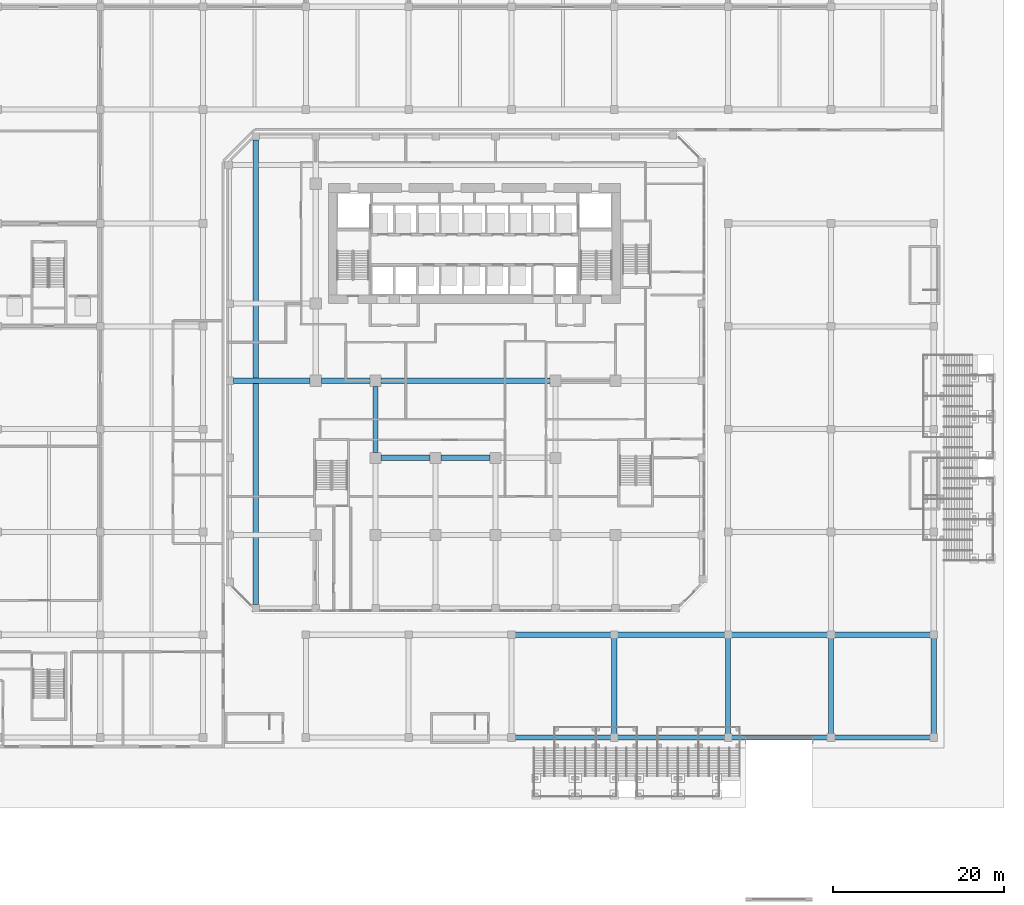
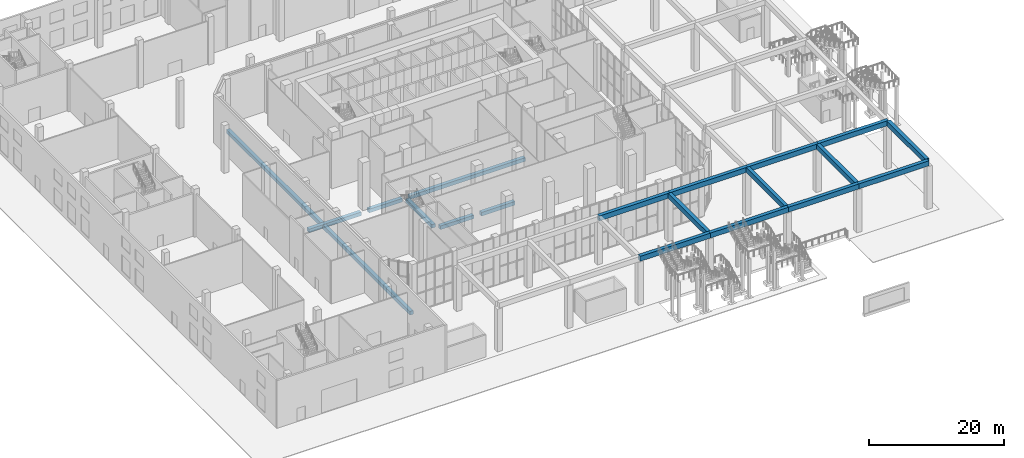
# One storey, part 6 of 43: 19 beams.
"""IFC4 building model written with IfcOpenShell, lengths in metres."""

from ifc_helpers import new_model, si_unit, direction, frame, origin, origin_2d, place, context, subcontext, project, spatial, rectangle, extrude, source, transform, mapped, material, material_profile, profile_set, type_object, element, save


model = new_model("IFC4")

# Units and contexts
model_context = context("Model", 3, precision=1e-05, world=origin(), true_north=direction((0.0, 1.0)))
body_context = subcontext(model_context, "Body", "Model", "MODEL_VIEW")
ifc_project = project(units=[si_unit("LENGTHUNIT", "METRE"), si_unit("AREAUNIT", "SQUARE_METRE"), si_unit("VOLUMEUNIT", "CUBIC_METRE"), si_unit("PLANEANGLEUNIT", "RADIAN"), si_unit("MASSUNIT", "GRAM", prefix="KILO")], contexts=[model_context])

# Site, building, storey
site_placement = place(None, origin())
site = spatial("IfcSite", under=ifc_project, at=site_placement, CompositionType="ELEMENT")
building_placement = place(site_placement, origin())
building = spatial("IfcBuilding", under=site, at=building_placement, Name="Kilnfold Tower and Market Hall", CompositionType="ELEMENT")
storey_placement = place(building_placement, origin())
storey = spatial("IfcBuildingStorey", under=building, at=storey_placement, Name="L00", CompositionType="ELEMENT", Elevation=0.0)

# Beams
ifc_material_1 = material(Name="Concrete C45", Category="concrete")
ifc_material_profile_1 = material_profile(ifc_material_1, rectangle(XDim=0.60009765625, YDim=0.64990234375, at=origin_2d()), Name="RC 600x650")
ifc_profile_set_1 = profile_set([ifc_material_profile_1], Name="Concrete C45")
beam_type_1 = type_object("IfcBeamType", Name="BEAM 600X650 C45", PredefinedType="BEAM", material=ifc_profile_set_1)
shared_shape_1 = source(origin(), body_context, "Body", "SweptSolid", [
    extrude(rectangle(XDim=0.60009765625, YDim=0.64990234375, at=origin_2d()), origin(), (0.0, 0.0, 1.0), 8.9501953125),
])
beam_1_placement = place(storey_placement, frame((-27.10009765625, -1.0, -0.735107421875), z_axis=(1.0, 0.0, 0.0), x_axis=(0.0, 1.0, 0.0)))
element("IfcBeam", 1, at=beam_1_placement, inside=storey, type_object=beam_type_1, Name="Beam BB650-B1.16", PredefinedType="BEAM", context=body_context, shape_type="MappedRepresentation", body=[
    mapped(shared_shape_1, transform((0.0, 0.0, 0.0))),
])
shared_shape_2 = source(origin(), body_context, "Body", "SweptSolid", [
    extrude(rectangle(XDim=0.60009765625, YDim=0.64990234375, at=origin_2d()), origin(), (0.0, 0.0, 1.0), 5.7001953125),
])
for number, where, z_axis, x_axis, name in (
    (2, (-9.85009765625, -10.0, -0.735107421875), (1.0, 0.0, 0.0), (0.0, 1.0, 0.0), "Beam BB650-B1.13"),
    (3, (-2.85009765625, -10.0, -0.735107421875), (1.0, 0.0, 0.0), (0.0, 1.0, 0.0), "Beam BB650-B1.14"),
    (4, (-16.85009765625, -1.0, -0.735107421875), (1.0, 0.0, 0.0), (0.0, 1.0, 0.0), "Beam BB650-B1.17"),
):
    element("IfcBeam", number, at=place(storey_placement, frame(where, z_axis=z_axis, x_axis=x_axis)), inside=storey, type_object=beam_type_1, Name=name, PredefinedType="BEAM", context=body_context, shape_type="MappedRepresentation", body=[
        mapped(shared_shape_2, transform((0.0, 0.0, 0.0))),
    ])
shared_shape_3 = source(origin(), body_context, "Body", "SweptSolid", [
    extrude(rectangle(XDim=0.60009765625, YDim=0.64990234375, at=origin_2d()), origin(), (0.0, 0.0, 1.0), 19.7001953125),
])
beam_2_placement = place(storey_placement, frame((-9.85009765625, -1.0, -0.735107421875), z_axis=(1.0, 0.0, 0.0), x_axis=(0.0, 1.0, 0.0)))
element("IfcBeam", 5, at=beam_2_placement, inside=storey, type_object=beam_type_1, Name="Beam BB650-B1.18", PredefinedType="BEAM", context=body_context, shape_type="MappedRepresentation", body=[
    mapped(shared_shape_3, transform((0.0, 0.0, 0.0))),
])
shared_shape_4 = source(origin(), body_context, "Body", "SweptSolid", [
    extrude(rectangle(XDim=0.60009765625, YDim=0.64990234375, at=origin_2d()), origin(), (0.0, 0.0, 1.0), 54.2001953125),
])
beam_3_placement = place(storey_placement, frame((-24.5, -27.10009765625, -0.735107421875), z_axis=(0.0, 1.0, 0.0), x_axis=(-1.0, 0.0, 0.0)))
element("IfcBeam", 6, at=beam_3_placement, inside=storey, type_object=beam_type_1, Name="Beam BB650-B1.35", PredefinedType="BEAM", context=body_context, shape_type="MappedRepresentation", body=[
    mapped(shared_shape_4, transform((0.0, 0.0, 0.0))),
])
shared_shape_5 = source(origin(), body_context, "Body", "SweptSolid", [
    extrude(rectangle(XDim=0.60009765625, YDim=0.64990234375, at=origin_2d()), origin(), (0.0, 0.0, 1.0), 7.7001953125),
])
beam_4_placement = place(storey_placement, frame((-10.5, -9.35009765625, -0.735107421875), z_axis=(0.0, 1.0, 0.0), x_axis=(-1.0, 0.0, 0.0)))
element("IfcBeam", 7, at=beam_4_placement, inside=storey, type_object=beam_type_1, Name="Beam BB650-B1.42", PredefinedType="BEAM", context=body_context, shape_type="MappedRepresentation", body=[
    mapped(shared_shape_5, transform((0.0, 0.0, 0.0))),
])
ifc_material_2 = material(Name="Concrete C40/50", Category="concrete")
ifc_material_profile_2 = material_profile(ifc_material_2, rectangle(XDim=0.60009765625, YDim=0.89990234375, at=origin_2d()), Name="RC 600x900")
ifc_profile_set_2 = profile_set([ifc_material_profile_2], Name="Concrete C40/50")
beam_type_2 = type_object("IfcBeamType", Name="DECK GIRDER 600X900", PredefinedType="BEAM", material=ifc_profile_set_2)
shared_shape_6 = source(origin(), body_context, "Body", "SweptSolid", [
    extrude(rectangle(XDim=0.60009765625, YDim=0.89990234375, at=origin_2d()), origin(), (0.0, 0.0, 1.0), 12.0),
])
for number, where, z_axis, x_axis, name in (
    (8, (5.35009765625, -42.64990234375, 8.14990234375), (1.0, 0.0, 0.0), (0.0, 1.0, 0.0), "Deck girder DG1-3"),
    (9, (30.64990234375, -42.64990234375, 8.14990234375), (1.0, 0.0, 0.0), (0.0, 1.0, 0.0), "Deck girder DG1-5"),
    (10, (42.64990234375, -42.64990234375, 8.14990234375), (1.0, 0.0, 0.0), (0.0, 1.0, 0.0), "Deck girder DG1-6"),
    (11, (5.35009765625, -30.64990234375, 8.14990234375), (1.0, 0.0, 0.0), (0.0, 1.0, 0.0), "Deck girder DG1-9"),
    (12, (30.64990234375, -30.64990234375, 8.14990234375), (1.0, 0.0, 0.0), (0.0, 1.0, 0.0), "Deck girder DG1-11"),
    (13, (42.64990234375, -30.64990234375, 8.14990234375), (1.0, 0.0, 0.0), (0.0, 1.0, 0.0), "Deck girder DG1-12"),
):
    element("IfcBeam", number, at=place(storey_placement, frame(where, z_axis=z_axis, x_axis=x_axis)), inside=storey, type_object=beam_type_2, Name=name, PredefinedType="BEAM", context=body_context, shape_type="MappedRepresentation", body=[
        mapped(shared_shape_6, transform((0.0, 0.0, 0.0))),
    ])
shared_shape_7 = source(origin(), body_context, "Body", "SweptSolid", [
    extrude(rectangle(XDim=0.60009765625, YDim=0.89990234375, at=origin_2d()), origin(), (0.0, 0.0, 1.0), 13.2998046875),
])
for number, where, z_axis, x_axis, name in (
    (14, (17.35009765625, -42.64990234375, 8.14990234375), (1.0, 0.0, 0.0), (0.0, 1.0, 0.0), "Deck girder DG1-4"),
    (15, (17.35009765625, -30.64990234375, 8.14990234375), (1.0, 0.0, 0.0), (0.0, 1.0, 0.0), "Deck girder DG1-10"),
):
    element("IfcBeam", number, at=place(storey_placement, frame(where, z_axis=z_axis, x_axis=x_axis)), inside=storey, type_object=beam_type_2, Name=name, PredefinedType="BEAM", context=body_context, shape_type="MappedRepresentation", body=[
        mapped(shared_shape_7, transform((0.0, 0.0, 0.0))),
    ])
shared_shape_8 = source(origin(), body_context, "Body", "SweptSolid", [
    extrude(rectangle(XDim=0.60009765625, YDim=0.89990234375, at=origin_2d()), origin(), (0.0, 0.0, 1.0), 11.400146484375),
])
for number, where, z_axis, x_axis, name in (
    (16, (17.35009765625, -42.35009765625, 8.14990234375), (0.0, 1.0, 0.0), (-1.0, 0.0, 0.0), "Deck girder DG1-24"),
    (17, (30.64990234375, -42.35009765625, 8.14990234375), (0.0, 1.0, 0.0), (-1.0, 0.0, 0.0), "Deck girder DG1-25"),
    (18, (42.64990234375, -42.35009765625, 8.14990234375), (0.0, 1.0, 0.0), (-1.0, 0.0, 0.0), "Deck girder DG1-30"),
    (19, (54.64990234375, -42.35009765625, 8.14990234375), (0.0, 1.0, 0.0), (-1.0, 0.0, 0.0), "Deck girder DG1-35"),
):
    element("IfcBeam", number, at=place(storey_placement, frame(where, z_axis=z_axis, x_axis=x_axis)), inside=storey, type_object=beam_type_2, Name=name, PredefinedType="BEAM", context=body_context, shape_type="MappedRepresentation", body=[
        mapped(shared_shape_8, transform((0.0, 0.0, 0.0))),
    ])

save(model, "model.ifc")
